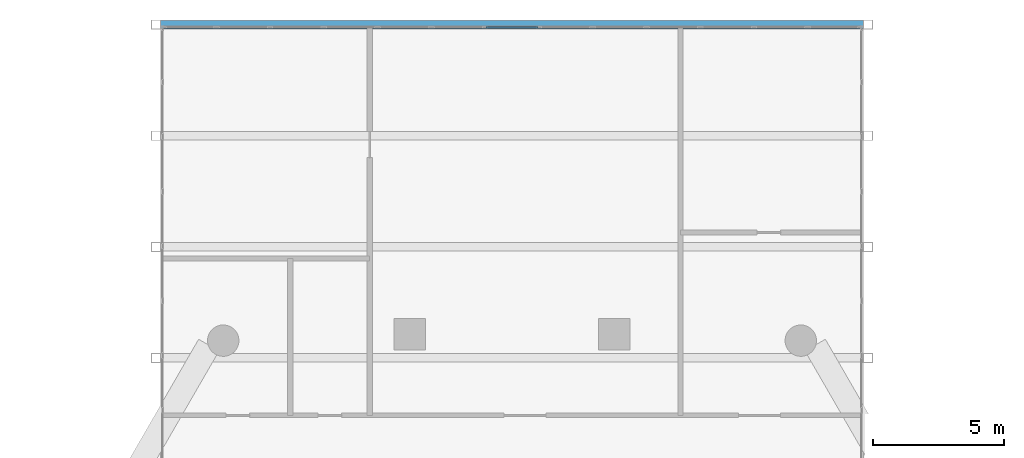
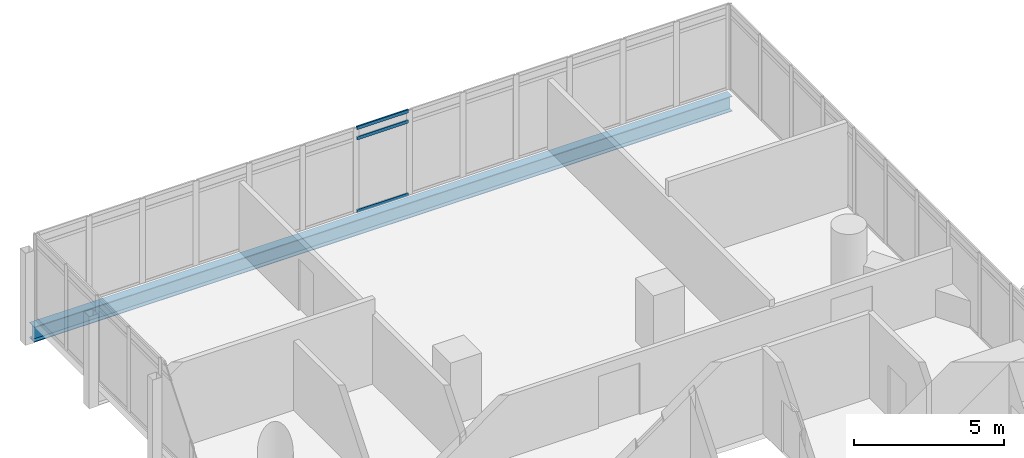
# One storey, part 21 of 38: 3 members, 1 beam, 1 element without a shape of its own.
"""IFC4 building model written with IfcOpenShell, lengths in metres."""

from ifc_helpers import new_model, si_unit, direction, frame, origin, origin_2d, place, context, subcontext, project, spatial, hollow_rectangle, i_section, extrude, material, material_profile, profile_set, type_object, element, aggregate, save


model = new_model("IFC4")

# Units and contexts
model_context = context("Model", 3, precision=1e-05, world=origin(), true_north=direction((0.0, 1.0)))
body_context = subcontext(model_context, "Body", "Model", "MODEL_VIEW")
ifc_project = project(units=[si_unit("LENGTHUNIT", "METRE"), si_unit("AREAUNIT", "SQUARE_METRE"), si_unit("VOLUMEUNIT", "CUBIC_METRE"), si_unit("PLANEANGLEUNIT", "RADIAN"), si_unit("MASSUNIT", "GRAM", prefix="KILO")], contexts=[model_context])

# Site, building, storey
site_placement = place(None, origin())
site = spatial("IfcSite", under=ifc_project, at=site_placement, CompositionType="ELEMENT")
building_placement = place(site_placement, origin())
building = spatial("IfcBuilding", under=site, at=building_placement, Name="Ostrander Bayou Hotel Tower", CompositionType="ELEMENT")
storey_placement = place(building_placement, frame((0.0, 0.0, 96.75)))
storey = spatial("IfcBuildingStorey", under=building, at=storey_placement, Name="L24", CompositionType="ELEMENT", Elevation=96.75)

# Curtain wall, members
ifc_material_1 = material(Name="Aluminium and clear glass", Category="aluminium")
curtain_wall_type = type_object("IfcCurtainWallType", Name="CW-BAR glazed wall", PredefinedType="NOTDEFINED", material=ifc_material_1)
curtain_wall_placement = place(storey_placement, origin())
curtain_wall = element("IfcCurtainWall", 1, at=curtain_wall_placement, inside=storey, type_object=curtain_wall_type, Name="CW-BAR L24:SB2N:T", PredefinedType="NOTDEFINED")
ifc_material_2 = material(Name="Aluminium", Category="aluminium")
ifc_material_profile_1 = material_profile(ifc_material_2, hollow_rectangle(XDim=0.06005859375, YDim=0.1298828125, WallThickness=0.00390625, at=origin_2d()))
ifc_profile_set_1 = profile_set([ifc_material_profile_1], Name="Aluminium")
member_type = type_object("IfcMemberType", Name="CW-BR transom 60 x 130 mm", PredefinedType="USERDEFINED", material=ifc_profile_set_1)
member_1_placement = place(storey_placement, frame((-0.998291015625, 31.4453125, 0.030029296875), z_axis=(1.0, 0.0, 0.0), x_axis=(0.0, 1.0, 0.0)))
member_1 = element("IfcMember", 2, at=member_1_placement, type_object=member_type, Name="CW-BAR transom 7.1", ObjectType="TRANSOM", PredefinedType="USERDEFINED", context=body_context, shape_type="SweptSolid", body=[
    extrude(hollow_rectangle(XDim=0.06005859375, YDim=0.1298828125, WallThickness=0.00390625, at=origin_2d()), origin(), (0.0, 0.0, 1.0), 1.99658203125),
])
member_2_placement = place(storey_placement, frame((-0.998291015625, 31.4453125, 3.0), z_axis=(1.0, 0.0, 0.0), x_axis=(0.0, 1.0, 0.0)))
member_2 = element("IfcMember", 3, at=member_2_placement, type_object=member_type, Name="CW-BAR transom 7.2", ObjectType="TRANSOM", PredefinedType="USERDEFINED", context=body_context, shape_type="SweptSolid", body=[
    extrude(hollow_rectangle(XDim=0.06005859375, YDim=0.1298828125, WallThickness=0.00390625, at=origin_2d()), origin(), (0.0, 0.0, 1.0), 1.99658203125),
])
member_3_placement = place(storey_placement, frame((-0.998291015625, 31.4453125, 3.419921875), z_axis=(1.0, 0.0, 0.0), x_axis=(0.0, 1.0, 0.0)))
member_3 = element("IfcMember", 4, at=member_3_placement, type_object=member_type, Name="CW-BAR transom 7.3", ObjectType="TRANSOM", PredefinedType="USERDEFINED", context=body_context, shape_type="SweptSolid", body=[
    extrude(hollow_rectangle(XDim=0.06005859375, YDim=0.1298828125, WallThickness=0.00390625, at=origin_2d()), origin(), (0.0, 0.0, 1.0), 1.99658203125),
])
aggregate(curtain_wall, [member_1, member_2, member_3])

# Beam
ifc_material_3 = material(Name="Steel ASTM A992", Category="steel")
ifc_material_profile_2 = material_profile(ifc_material_3, i_section(OverallWidth=0.32763671875, OverallDepth=0.621826171875, WebThickness=0.015380859375, FlangeThickness=0.0244140625, at=origin_2d()))
ifc_profile_set_2 = profile_set([ifc_material_profile_2], Name="Steel ASTM A992")
beam_type = type_object("IfcBeamType", Name="TF1 bar floor beam W24x131", PredefinedType="BEAM", material=ifc_profile_set_2)
beam_placement = place(storey_placement, frame((-13.442138671875, 31.54541015625, -0.61083984375), z_axis=(1.0, 0.0, 0.0), x_axis=(0.0, 1.0, 0.0)))
element("IfcBeam", 5, at=beam_placement, inside=storey, type_object=beam_type, Name="TF1 SB2W L2-1", PredefinedType="BEAM", context=body_context, shape_type="SweptSolid", body=[
    extrude(i_section(OverallWidth=0.32763671875, OverallDepth=0.621826171875, WebThickness=0.015380859375, FlangeThickness=0.0244140625, at=origin_2d()), origin(), (0.0, 0.0, 1.0), 26.88427734375),
])

save(model, "model.ifc")
